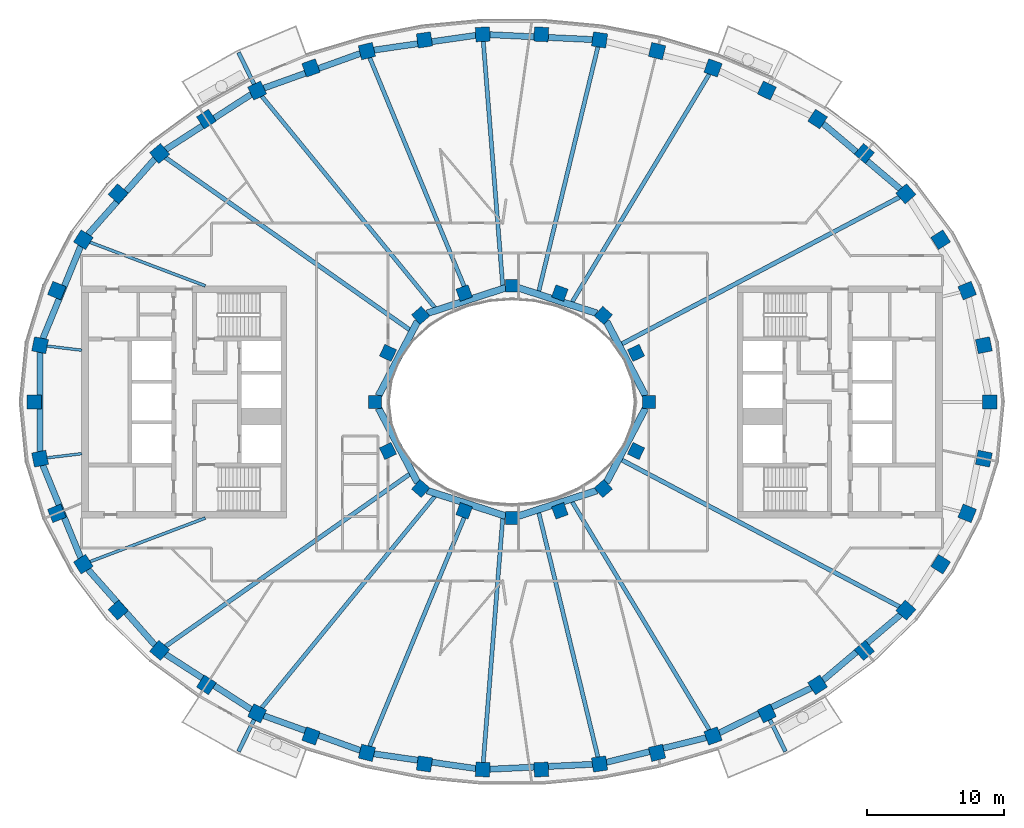
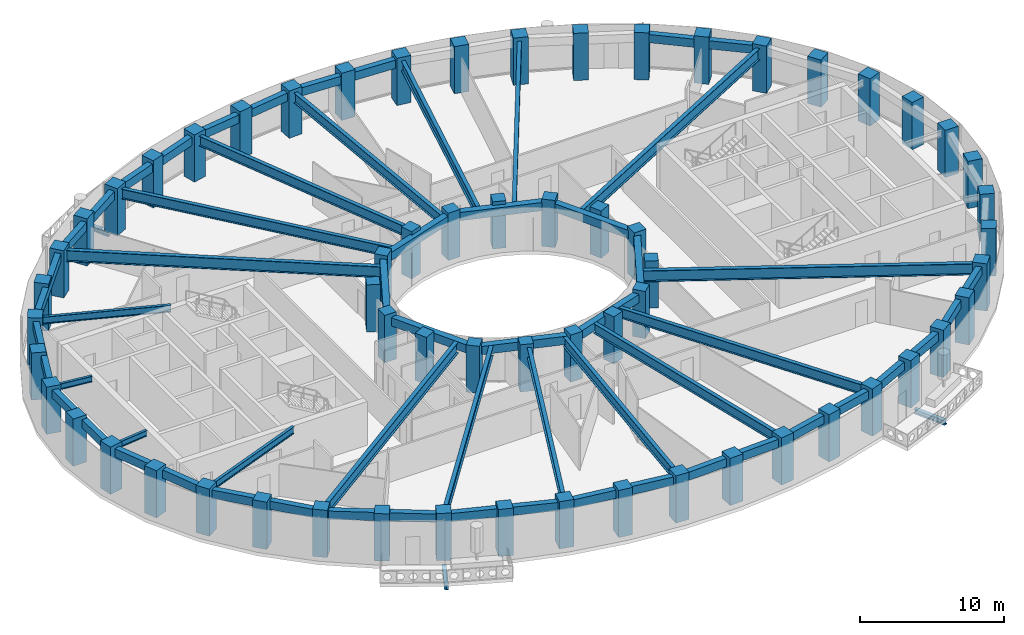
# One storey, part 1 of 15: 62 columns, 46 beams.
"""IFC4 building model written with IfcOpenShell, lengths in metres."""

from ifc_helpers import new_model, si_unit, direction, frame, origin, origin_2d, place, context, subcontext, project, spatial, rectangle, i_section, extrude, material, material_profile, profile_set, type_object, element, save


model = new_model("IFC4")

# Units and contexts
model_context = context("Model", 3, precision=1e-05, world=origin(), true_north=direction((0.0, 1.0)))
body_context = subcontext(model_context, "Body", "Model", "MODEL_VIEW")
ifc_project = project(units=[si_unit("LENGTHUNIT", "METRE"), si_unit("AREAUNIT", "SQUARE_METRE"), si_unit("VOLUMEUNIT", "CUBIC_METRE"), si_unit("PLANEANGLEUNIT", "RADIAN"), si_unit("MASSUNIT", "GRAM", prefix="KILO")], contexts=[model_context])

# Site, building, storey
site_placement = place(None, origin())
site = spatial("IfcSite", under=ifc_project, at=site_placement, CompositionType="ELEMENT")
building_placement = place(site_placement, origin())
building = spatial("IfcBuilding", under=site, at=building_placement, Name="Noorbagh Ring Tower", CompositionType="ELEMENT")
storey_placement = place(building_placement, frame((0.0, 0.0, 265.5)))
storey = spatial("IfcBuildingStorey", under=building, at=storey_placement, Name="L56", CompositionType="ELEMENT", Elevation=265.5)

# Columns
ifc_material_1 = material(Name="Concrete C50/60", Category="concrete")
ifc_material_profile_1 = material_profile(ifc_material_1, rectangle(XDim=1.050048828125, YDim=1.050048828125, at=origin_2d()), Name="RC1050x1050")
ifc_profile_set_1 = profile_set([ifc_material_profile_1], Name="Concrete C50/60")
column_type_1 = type_object("IfcColumnType", Name="STR-COL-RC1050x1050-C50-60", PredefinedType="COLUMN", material=ifc_profile_set_1)
for number, where, z_axis, x_axis, name in (
    (1, (34.944580078125, 0.0, 0.0), (0.0, 0.0, 1.0), (0.0, 1.0, 0.0), "L56/col/R1-01"),
    (2, (34.52685546875, 4.150634765625, 0.0), (0.0, 0.0, 1.0), (-0.19723040178, 0.9803571638, 0.0), "L56/col/R1-02"),
    (3, (33.30517578125, 8.1494140625, 0.0), (0.0, 0.0, 1.0), (-0.378989499959, 0.925400971969, 0.0), "L56/col/R1-03"),
    (4, (31.364990234375, 11.87109375, 0.0), (0.0, 0.0, 1.0), (-0.535190403059, 0.844731455833, 0.0), "L56/col/R1-04"),
    (5, (28.81884765625, 15.23046875, 0.0), (0.0, 0.0, 1.0), (-0.662635642662, 0.748941923699, 0.0), "L56/col/R1-05"),
    (6, (25.78271484375, 18.180419921875, 0.0), (0.0, 0.0, 1.0), (-0.763035199656, 0.646356932419, 0.0), "L56/col/R1-06"),
    (7, (22.362060546875, 20.699951171875, 0.0), (0.0, 0.0, 1.0), (-0.840247639643, 0.542202825586, 0.0), "L56/col/R1-07"),
    (8, (18.646240234375, 22.785400390625, 0.0), (0.0, 0.0, 1.0), (-0.898399080868, 0.439180021741, 0.0), "L56/col/R1-08"),
    (9, (14.70947265625, 24.44091796875, 0.0), (0.0, 0.0, 1.0), (-0.941024726094, 0.338337797003, 0.0), "L56/col/R1-09"),
    (10, (10.61328125, 25.673583984375, 0.0), (0.0, 0.0, 1.0), (-0.970829360981, 0.239771457553, 0.0), "L56/col/R1-10"),
    (11, (6.4091796875, 26.49072265625, 0.0), (0.0, 0.0, 1.0), (-0.989713114048, 0.143066249975, 0.0), "L56/col/R1-11"),
    (12, (2.14306640625, 26.89794921875, 0.0), (0.0, 0.0, 1.0), (-0.998868731212, 0.047552684538, 0.0), "L56/col/R1-12"),
    (13, (-2.14306640625, 26.89794921875, 0.0), (0.0, 0.0, 1.0), (-0.998868731212, -0.047552684538, 0.0), "L56/col/R1-13"),
    (14, (-6.4091796875, 26.49072265625, 0.0), (0.0, 0.0, 1.0), (-0.989713114048, -0.143066249975, 0.0), "L56/col/R1-14"),
    (15, (-10.61328125, 25.673583984375, 0.0), (0.0, 0.0, 1.0), (-0.970829360981, -0.239771457553, 0.0), "L56/col/R1-15"),
    (16, (-14.70947265625, 24.44091796875, 0.0), (0.0, 0.0, 1.0), (-0.941024726094, -0.338337797003, 0.0), "L56/col/R1-16"),
    (17, (-18.646240234375, 22.785400390625, 0.0), (0.0, 0.0, 1.0), (-0.898399080868, -0.439180021741, 0.0), "L56/col/R1-17"),
    (18, (-22.362060546875, 20.699951171875, 0.0), (0.0, 0.0, 1.0), (-0.840247639643, -0.542202825586, 0.0), "L56/col/R1-18"),
    (19, (-25.78271484375, 18.180419921875, 0.0), (0.0, 0.0, 1.0), (-0.763035199656, -0.646356932419, 0.0), "L56/col/R1-19"),
    (20, (-28.81884765625, 15.23046875, 0.0), (0.0, 0.0, 1.0), (-0.662635642662, -0.748941923699, 0.0), "L56/col/R1-20"),
    (21, (-31.364990234375, 11.87109375, 0.0), (0.0, 0.0, 1.0), (-0.535190403059, -0.844731455833, 0.0), "L56/col/R1-21"),
    (22, (-33.30517578125, 8.1494140625, 0.0), (0.0, 0.0, 1.0), (-0.378989499959, -0.925400971969, 0.0), "L56/col/R1-22"),
    (23, (-34.52685546875, 4.150634765625, 0.0), (0.0, 0.0, 1.0), (-0.19723040178, -0.9803571638, 0.0), "L56/col/R1-23"),
    (24, (-34.944580078125, 0.0, 0.0), (0.0, 0.0, 1.0), (0.0, -1.0, 0.0), "L56/col/R1-24"),
    (25, (-34.52685546875, -4.150634765625, 0.0), (0.0, 0.0, 1.0), (0.19723040178, -0.9803571638, 0.0), "L56/col/R1-25"),
    (26, (-33.30517578125, -8.1494140625, 0.0), (0.0, 0.0, 1.0), (0.378989499959, -0.925400971969, 0.0), "L56/col/R1-26"),
    (27, (-31.364990234375, -11.87109375, 0.0), (0.0, 0.0, 1.0), (0.535190403059, -0.844731455833, 0.0), "L56/col/R1-27"),
    (28, (-28.81884765625, -15.23046875, 0.0), (0.0, 0.0, 1.0), (0.662635642662, -0.748941923699, 0.0), "L56/col/R1-28"),
    (29, (-25.78271484375, -18.180419921875, 0.0), (0.0, 0.0, 1.0), (0.763035199656, -0.646356932419, 0.0), "L56/col/R1-29"),
    (30, (-22.362060546875, -20.699951171875, 0.0), (0.0, 0.0, 1.0), (0.840247639643, -0.542202825586, 0.0), "L56/col/R1-30"),
    (31, (-18.646240234375, -22.785400390625, 0.0), (0.0, 0.0, 1.0), (0.898399080868, -0.439180021741, 0.0), "L56/col/R1-31"),
    (32, (-14.70947265625, -24.44091796875, 0.0), (0.0, 0.0, 1.0), (0.941024726094, -0.338337797003, 0.0), "L56/col/R1-32"),
    (33, (-10.61328125, -25.673583984375, 0.0), (0.0, 0.0, 1.0), (0.970829360981, -0.239771457553, 0.0), "L56/col/R1-33"),
    (34, (-6.4091796875, -26.49072265625, 0.0), (0.0, 0.0, 1.0), (0.989713114048, -0.143066249975, 0.0), "L56/col/R1-34"),
    (35, (-2.14306640625, -26.89794921875, 0.0), (0.0, 0.0, 1.0), (0.998868731212, -0.047552684538, 0.0), "L56/col/R1-35"),
    (36, (2.14306640625, -26.89794921875, 0.0), (0.0, 0.0, 1.0), (0.998868731212, 0.047552684538, 0.0), "L56/col/R1-36"),
    (37, (6.4091796875, -26.49072265625, 0.0), (0.0, 0.0, 1.0), (0.989713114048, 0.143066249975, 0.0), "L56/col/R1-37"),
    (38, (10.61328125, -25.673583984375, 0.0), (0.0, 0.0, 1.0), (0.970829360981, 0.239771457553, 0.0), "L56/col/R1-38"),
    (39, (14.70947265625, -24.44091796875, 0.0), (0.0, 0.0, 1.0), (0.941024726094, 0.338337797003, 0.0), "L56/col/R1-39"),
    (40, (18.646240234375, -22.785400390625, 0.0), (0.0, 0.0, 1.0), (0.898399080868, 0.439180021741, 0.0), "L56/col/R1-40"),
    (41, (22.362060546875, -20.699951171875, 0.0), (0.0, 0.0, 1.0), (0.840247639643, 0.542202825586, 0.0), "L56/col/R1-41"),
    (42, (25.78271484375, -18.180419921875, 0.0), (0.0, 0.0, 1.0), (0.763035199656, 0.646356932419, 0.0), "L56/col/R1-42"),
    (43, (28.81884765625, -15.23046875, 0.0), (0.0, 0.0, 1.0), (0.662635642662, 0.748941923699, 0.0), "L56/col/R1-43"),
    (44, (31.364990234375, -11.87109375, 0.0), (0.0, 0.0, 1.0), (0.535190403059, 0.844731455833, 0.0), "L56/col/R1-44"),
    (45, (33.30517578125, -8.1494140625, 0.0), (0.0, 0.0, 1.0), (0.378989499959, 0.925400971969, 0.0), "L56/col/R1-45"),
    (46, (34.52685546875, -4.150634765625, 0.0), (0.0, 0.0, 1.0), (0.19723040178, 0.9803571638, 0.0), "L56/col/R1-46"),
):
    element("IfcColumn", number, at=place(storey_placement, frame(where, z_axis=z_axis, x_axis=x_axis)), inside=storey, type_object=column_type_1, Name=name, PredefinedType="COLUMN", context=body_context, shape_type="SweptSolid", body=[
        extrude(rectangle(XDim=1.050048828125, YDim=1.050048828125, at=origin_2d()), origin(), (0.0, 0.0, 1.0), 4.0),
    ])
ifc_material_2 = material(Name="Concrete C50/60", Category="concrete")
ifc_material_profile_2 = material_profile(ifc_material_2, rectangle(XDim=0.949951171875, YDim=0.949951171875, at=origin_2d()), Name="RC950x950")
ifc_profile_set_2 = profile_set([ifc_material_profile_2], Name="Concrete C50/60")
column_type_2 = type_object("IfcColumnType", Name="STR-ICOL-RC950x950-C50-60", PredefinedType="COLUMN", material=ifc_profile_set_2)
for number, where, z_axis, x_axis, name in (
    (47, (10.00830078125, 0.0, 0.0), (0.0, 0.0, 1.0), (0.0, 1.0, 0.0), "L56/col/IR2-W01"),
    (48, (9.07568359375, 3.58837890625, 0.0), (0.0, 0.0, 1.0), (-0.428666979171, 0.903462573087, 0.0), "L56/col/IR2-W03"),
    (49, (6.68212890625, 6.333740234375, 0.0), (0.0, 0.0, 1.0), (-0.75102249095, 0.660276622399, 0.0), "L56/col/IR2-W05"),
    (50, (3.5009765625, 7.967041015625, 0.0), (0.0, 0.0, 1.0), (-0.939019578916, 0.343863679984, 0.0), "L56/col/IR2-W07"),
    (51, (0.0, 8.5029296875, 0.0), (0.0, 0.0, 1.0), (-1.0, 0.0, 0.0), "L56/col/IR2-W09"),
    (52, (-3.5009765625, 7.967041015625, 0.0), (0.0, 0.0, 1.0), (-0.939019578916, -0.343863679984, 0.0), "L56/col/IR2-W11"),
    (53, (-6.68212890625, 6.333740234375, 0.0), (0.0, 0.0, 1.0), (-0.75102249095, -0.660276622399, 0.0), "L56/col/IR2-W13"),
    (54, (-9.07568359375, 3.58837890625, 0.0), (0.0, 0.0, 1.0), (-0.428666979171, -0.903462573087, 0.0), "L56/col/IR2-W15"),
    (55, (-10.00830078125, 0.0, 0.0), (0.0, 0.0, 1.0), (0.0, -1.0, 0.0), "L56/col/IR2-W17"),
    (56, (-9.07568359375, -3.58837890625, 0.0), (0.0, 0.0, 1.0), (0.428666979171, -0.903462573087, 0.0), "L56/col/IR2-W19"),
    (57, (-6.68212890625, -6.333740234375, 0.0), (0.0, 0.0, 1.0), (0.75102249095, -0.660276622399, 0.0), "L56/col/IR2-W21"),
    (58, (-3.5009765625, -7.967041015625, 0.0), (0.0, 0.0, 1.0), (0.939019578916, -0.343863679984, 0.0), "L56/col/IR2-W23"),
    (59, (0.0, -8.5029296875, 0.0), (0.0, 0.0, 1.0), (1.0, 0.0, 0.0), "L56/col/IR2-W25"),
    (60, (3.5009765625, -7.967041015625, 0.0), (0.0, 0.0, 1.0), (0.939019578916, 0.343863679984, 0.0), "L56/col/IR2-W27"),
    (61, (6.68212890625, -6.333740234375, 0.0), (0.0, 0.0, 1.0), (0.75102249095, 0.660276622399, 0.0), "L56/col/IR2-W29"),
    (62, (9.07568359375, -3.58837890625, 0.0), (0.0, 0.0, 1.0), (0.428666979171, 0.903462573087, 0.0), "L56/col/IR2-W31"),
):
    element("IfcColumn", number, at=place(storey_placement, frame(where, z_axis=z_axis, x_axis=x_axis)), inside=storey, type_object=column_type_2, Name=name, PredefinedType="COLUMN", context=body_context, shape_type="SweptSolid", body=[
        extrude(rectangle(XDim=0.949951171875, YDim=0.949951171875, at=origin_2d()), origin(), (0.0, 0.0, 1.0), 4.0),
    ])

# Beams
ifc_material_3 = material(Name="Steel S355", Category="steel")
ifc_material_profile_3 = material_profile(ifc_material_3, i_section(OverallWidth=0.300048828125, OverallDepth=0.39990234375, WebThickness=0.013427734375, FlangeThickness=0.02392578125, FilletRadius=0.027099609375, at=origin_2d()), Name="HEB400")
ifc_profile_set_3 = profile_set([ifc_material_profile_3], Name="Steel S355")
beam_type_1 = type_object("IfcBeamType", Name="STR-BALCONY-BRACKET-HEB400", PredefinedType="BEAM", material=ifc_profile_set_3)
for number, where, z_axis, x_axis, name in (
    (63, (-18.8681640625, 23.239013671875, -0.5), (-0.439233708137, 0.898372834427, 0.0), (-0.898372834427, -0.439233708137, 0.0), "Balcony bracket beam BN05"),
    (64, (-18.8681640625, -23.239013671875, -0.5), (-0.439233708137, -0.898372834427, 0.0), (0.898372834427, -0.439233708137, 0.0), "Balcony bracket beam BS02"),
    (65, (18.8681640625, -23.239013671875, -0.5), (0.439233708137, -0.898372834427, 0.0), (0.898372834427, 0.439233708137, 0.0), "Balcony bracket beam BS05"),
):
    element("IfcBeam", number, at=place(storey_placement, frame(where, z_axis=z_axis, x_axis=x_axis)), inside=storey, type_object=beam_type_1, Name=name, PredefinedType="BEAM", context=body_context, shape_type="SweptSolid", body=[
        extrude(i_section(OverallWidth=0.300048828125, OverallDepth=0.39990234375, WebThickness=0.013427734375, FlangeThickness=0.02392578125, FilletRadius=0.027099609375, at=origin_2d()), origin(), (0.0, 0.0, 1.0), 2.60009765625),
    ])
ifc_material_4 = material(Name="Steel S355", Category="steel")
ifc_material_profile_4 = material_profile(ifc_material_4, i_section(OverallWidth=0.199951171875, OverallDepth=0.5, WebThickness=0.01025390625, FlangeThickness=0.01611328125, FilletRadius=0.02099609375, at=origin_2d()), Name="IPE500")
ifc_profile_set_4 = profile_set([ifc_material_profile_4], Name="Steel S355")
beam_type_2 = type_object("IfcBeamType", Name="STR-RAD-IPE500", PredefinedType="BEAM", material=ifc_profile_set_4)
for number, where, z_axis, x_axis, name in (
    (66, (-34.023681640625, 4.090087890625, 3.449951171875), (0.992856079473, -0.119318085189, 0.0), (0.119318085189, 0.992856079473, 0.0), "L56/bm/RD23"),
    (67, (-34.023681640625, -4.090087890625, 3.449951171875), (0.992856079473, 0.119318085189, 0.0), (-0.119318085189, 0.992856079473, 0.0), "L56/bm/RD25"),
):
    element("IfcBeam", number, at=place(storey_placement, frame(where, z_axis=z_axis, x_axis=x_axis)), inside=storey, type_object=beam_type_2, Name=name, PredefinedType="BEAM", context=body_context, shape_type="SweptSolid", body=[
        extrude(i_section(OverallWidth=0.199951171875, OverallDepth=0.5, WebThickness=0.01025390625, FlangeThickness=0.01611328125, FilletRadius=0.02099609375, at=origin_2d()), origin(), (0.0, 0.0, 1.0), 2.561767578125),
    ])
ifc_material_5 = material(Name="Steel S355", Category="steel")
ifc_material_profile_5 = material_profile(ifc_material_5, i_section(OverallWidth=0.219970703125, OverallDepth=0.60009765625, WebThickness=0.011962890625, FlangeThickness=0.01904296875, FilletRadius=0.02392578125, at=origin_2d()), Name="IPE600")
ifc_profile_set_5 = profile_set([ifc_material_profile_5], Name="Steel S355")
beam_type_3 = type_object("IfcBeamType", Name="STR-RAD-IPE600", PredefinedType="BEAM", material=ifc_profile_set_5)
for number, where, z_axis, x_axis, name in (
    (68, (-30.88232421875, 11.688232421875, 3.39990234375), (0.93525673757, -0.353970104431, 0.0), (0.353970104431, 0.93525673757, 0.0), "L56/bm/RD21"),
    (69, (-30.88232421875, -11.688232421875, 3.39990234375), (0.93525673757, 0.353970104431, 0.0), (-0.353970104431, 0.93525673757, 0.0), "L56/bm/RD27"),
):
    element("IfcBeam", number, at=place(storey_placement, frame(where, z_axis=z_axis, x_axis=x_axis)), inside=storey, type_object=beam_type_3, Name=name, PredefinedType="BEAM", context=body_context, shape_type="SweptSolid", body=[
        extrude(i_section(OverallWidth=0.219970703125, OverallDepth=0.60009765625, WebThickness=0.011962890625, FlangeThickness=0.01904296875, FilletRadius=0.02392578125, at=origin_2d()), origin(), (0.0, 0.0, 1.0), 9.027099609375),
    ])
ifc_material_6 = material(Name="Steel S355", Category="steel")
ifc_material_profile_6 = material_profile(ifc_material_6, i_section(OverallWidth=0.300048828125, OverallDepth=0.85009765625, WebThickness=0.013916015625, FlangeThickness=0.028076171875, at=origin_2d()), Name="PG850x300x14x28")
ifc_profile_set_6 = profile_set([ifc_material_profile_6], Name="Steel S355")
beam_type_4 = type_object("IfcBeamType", Name="STR-RAD-PG850x300x14x28", PredefinedType="BEAM", material=ifc_profile_set_6)
beam_1_placement = place(storey_placement, frame((14.44384765625, 23.999267578125, 3.27490234375), z_axis=(-0.515656906989, -0.856795164712, 0.0), x_axis=(0.856795164712, -0.515656906989, 0.0)))
element("IfcBeam", 70, at=beam_1_placement, inside=storey, type_object=beam_type_4, Name="L56/bm/RD09", PredefinedType="BEAM", context=body_context, shape_type="SweptSolid", body=[
    extrude(i_section(OverallWidth=0.300048828125, OverallDepth=0.85009765625, WebThickness=0.013916015625, FlangeThickness=0.028076171875, at=origin_2d()), origin(), (0.0, 0.0, 1.0), 19.471923828125),
])
beam_2_placement = place(storey_placement, frame((6.2900390625, 25.997802734375, 3.27490234375), z_axis=(-0.23516000693, -0.971956671432, 0.0), x_axis=(0.971956671432, -0.23516000693, 0.0)))
element("IfcBeam", 71, at=beam_2_placement, inside=storey, type_object=beam_type_4, Name="L56/bm/RD11", PredefinedType="BEAM", context=body_context, shape_type="SweptSolid", body=[
    extrude(i_section(OverallWidth=0.300048828125, OverallDepth=0.85009765625, WebThickness=0.013916015625, FlangeThickness=0.028076171875, at=origin_2d()), origin(), (0.0, 0.0, 1.0), 18.406005859375),
])
beam_3_placement = place(storey_placement, frame((-2.10302734375, 26.394287109375, 3.27490234375), z_axis=(0.079426932636, -0.996840690568, 0.0), x_axis=(0.996840690568, 0.079426932636, 0.0)))
element("IfcBeam", 72, at=beam_3_placement, inside=storey, type_object=beam_type_4, Name="L56/bm/RD13", PredefinedType="BEAM", context=body_context, shape_type="SweptSolid", body=[
    extrude(i_section(OverallWidth=0.300048828125, OverallDepth=0.85009765625, WebThickness=0.013916015625, FlangeThickness=0.028076171875, at=origin_2d()), origin(), (0.0, 0.0, 1.0), 17.92626953125),
])
beam_4_placement = place(storey_placement, frame((-10.41796875, 25.201416015625, 3.27490234375), z_axis=(0.382034660206, -0.924147995941, 0.0), x_axis=(0.924147995941, 0.382034660206, 0.0)))
element("IfcBeam", 73, at=beam_4_placement, inside=storey, type_object=beam_type_4, Name="L56/bm/RD15", PredefinedType="BEAM", context=body_context, shape_type="SweptSolid", body=[
    extrude(i_section(OverallWidth=0.300048828125, OverallDepth=0.85009765625, WebThickness=0.013916015625, FlangeThickness=0.028076171875, at=origin_2d()), origin(), (0.0, 0.0, 1.0), 18.9267578125),
])
for number, where, z_axis, x_axis, name in (
    (74, (-18.3173828125, 22.383544921875, 3.27490234375), (0.633312925982, -0.77389581843, 0.0), (0.77389581843, 0.633312925982, 0.0), "L56/bm/RD17"),
    (75, (-18.3173828125, -22.383544921875, 3.27490234375), (0.633312925982, 0.77389581843, 0.0), (-0.77389581843, 0.633312925982, 0.0), "L56/bm/RD31"),
):
    element("IfcBeam", number, at=place(storey_placement, frame(where, z_axis=z_axis, x_axis=x_axis)), inside=storey, type_object=beam_type_4, Name=name, PredefinedType="BEAM", context=body_context, shape_type="SweptSolid", body=[
        extrude(i_section(OverallWidth=0.300048828125, OverallDepth=0.85009765625, WebThickness=0.013916015625, FlangeThickness=0.028076171875, at=origin_2d()), origin(), (0.0, 0.0, 1.0), 19.993896484375),
    ])
beam_5_placement = place(storey_placement, frame((-10.41796875, -25.201416015625, 3.27490234375), z_axis=(0.382034660206, 0.924147995941, 0.0), x_axis=(-0.924147995941, 0.382034660206, 0.0)))
element("IfcBeam", 76, at=beam_5_placement, inside=storey, type_object=beam_type_4, Name="L56/bm/RD33", PredefinedType="BEAM", context=body_context, shape_type="SweptSolid", body=[
    extrude(i_section(OverallWidth=0.300048828125, OverallDepth=0.85009765625, WebThickness=0.013916015625, FlangeThickness=0.028076171875, at=origin_2d()), origin(), (0.0, 0.0, 1.0), 18.9267578125),
])
beam_6_placement = place(storey_placement, frame((-2.10302734375, -26.394287109375, 3.27490234375), z_axis=(0.079426932636, 0.996840690568, 0.0), x_axis=(-0.996840690568, 0.079426932636, 0.0)))
element("IfcBeam", 77, at=beam_6_placement, inside=storey, type_object=beam_type_4, Name="L56/bm/RD35", PredefinedType="BEAM", context=body_context, shape_type="SweptSolid", body=[
    extrude(i_section(OverallWidth=0.300048828125, OverallDepth=0.85009765625, WebThickness=0.013916015625, FlangeThickness=0.028076171875, at=origin_2d()), origin(), (0.0, 0.0, 1.0), 17.92626953125),
])
beam_7_placement = place(storey_placement, frame((6.2900390625, -25.997802734375, 3.27490234375), z_axis=(-0.23516000693, 0.971956671432, 0.0), x_axis=(-0.971956671432, -0.23516000693, 0.0)))
element("IfcBeam", 78, at=beam_7_placement, inside=storey, type_object=beam_type_4, Name="L56/bm/RD37", PredefinedType="BEAM", context=body_context, shape_type="SweptSolid", body=[
    extrude(i_section(OverallWidth=0.300048828125, OverallDepth=0.85009765625, WebThickness=0.013916015625, FlangeThickness=0.028076171875, at=origin_2d()), origin(), (0.0, 0.0, 1.0), 18.406005859375),
])
beam_8_placement = place(storey_placement, frame((14.44384765625, -23.999267578125, 3.27490234375), z_axis=(-0.515656906989, 0.856795164712, 0.0), x_axis=(-0.856795164712, -0.515656906989, 0.0)))
element("IfcBeam", 79, at=beam_8_placement, inside=storey, type_object=beam_type_4, Name="L56/bm/RD39", PredefinedType="BEAM", context=body_context, shape_type="SweptSolid", body=[
    extrude(i_section(OverallWidth=0.300048828125, OverallDepth=0.85009765625, WebThickness=0.013916015625, FlangeThickness=0.028076171875, at=origin_2d()), origin(), (0.0, 0.0, 1.0), 19.471923828125),
])
ifc_material_7 = material(Name="Steel S355", Category="steel")
ifc_material_profile_7 = material_profile(ifc_material_7, i_section(OverallWidth=0.320068359375, OverallDepth=0.949951171875, WebThickness=0.01611328125, FlangeThickness=0.030029296875, at=origin_2d()), Name="PG950x320x16x30")
ifc_profile_set_7 = profile_set([ifc_material_profile_7], Name="Steel S355")
beam_type_5 = type_object("IfcBeamType", Name="STR-RAD-PG950x320x16x30", PredefinedType="BEAM", material=ifc_profile_set_7)
beam_9_placement = place(storey_placement, frame((28.35888671875, 14.9873046875, 3.22509765625), z_axis=(-0.884128728226, -0.467243396878, 0.0), x_axis=(0.467243396878, -0.884128728226, 0.0)))
element("IfcBeam", 80, at=beam_9_placement, inside=storey, type_object=beam_type_5, Name="L56/bm/RD05", PredefinedType="BEAM", context=body_context, shape_type="SweptSolid", body=[
    extrude(i_section(OverallWidth=0.320068359375, OverallDepth=0.949951171875, WebThickness=0.01611328125, FlangeThickness=0.030029296875, at=origin_2d()), origin(), (0.0, 0.0, 1.0), 22.98486328125),
])
for number, where, z_axis, x_axis, name in (
    (81, (-25.355712890625, 17.87939453125, 3.22509765625), (0.817252873121, -0.57627922171, 0.0), (0.57627922171, 0.817252873121, 0.0), "L56/bm/RD19"),
    (82, (-25.355712890625, -17.87939453125, 3.22509765625), (0.817252873121, 0.57627922171, 0.0), (-0.57627922171, 0.817252873121, 0.0), "L56/bm/RD29"),
):
    element("IfcBeam", number, at=place(storey_placement, frame(where, z_axis=z_axis, x_axis=x_axis)), inside=storey, type_object=beam_type_5, Name=name, PredefinedType="BEAM", context=body_context, shape_type="SweptSolid", body=[
        extrude(i_section(OverallWidth=0.320068359375, OverallDepth=0.949951171875, WebThickness=0.01611328125, FlangeThickness=0.030029296875, at=origin_2d()), origin(), (0.0, 0.0, 1.0), 21.8564453125),
    ])
beam_10_placement = place(storey_placement, frame((28.35888671875, -14.9873046875, 3.22509765625), z_axis=(-0.884128728226, 0.467243396878, 0.0), x_axis=(-0.467243396878, -0.884128728226, 0.0)))
element("IfcBeam", 83, at=beam_10_placement, inside=storey, type_object=beam_type_5, Name="L56/bm/RD43", PredefinedType="BEAM", context=body_context, shape_type="SweptSolid", body=[
    extrude(i_section(OverallWidth=0.320068359375, OverallDepth=0.949951171875, WebThickness=0.01611328125, FlangeThickness=0.030029296875, at=origin_2d()), origin(), (0.0, 0.0, 1.0), 22.98486328125),
])
ifc_material_8 = material(Name="Concrete C40/50", Category="concrete")
ifc_material_profile_8 = material_profile(ifc_material_8, rectangle(XDim=0.5, YDim=0.699951171875, at=origin_2d()), Name="RC500x700")
ifc_profile_set_8 = profile_set([ifc_material_profile_8], Name="Concrete C40/50")
beam_type_6 = type_object("IfcBeamType", Name="STR-RB-RC500x700-C40-50", PredefinedType="BEAM", material=ifc_profile_set_8)
beam_11_placement = place(storey_placement, frame((9.768310546875, 0.457275390625, 3.35009765625), z_axis=(-0.464944392106, 0.885339885157, 0.0), x_axis=(-0.885339885157, -0.464944392106, 0.0)))
element("IfcBeam", 84, at=beam_11_placement, inside=storey, type_object=beam_type_6, Name="L56/bm/RG01", PredefinedType="BEAM", context=body_context, shape_type="SweptSolid", body=[
    extrude(rectangle(XDim=0.5, YDim=0.699951171875, at=origin_2d()), origin(), (0.0, 0.0, 1.0), 6.14892578125),
])
for number, where, z_axis, x_axis, name in (
    (85, (6.209228515625, 6.4873046875, 3.35009765625), (-0.951148201425, 0.308734673995, 0.0), (-0.308734673995, -0.951148201425, 0.0), "L56/bm/RG03"),
    (86, (-0.4560546875, 8.354736328125, 3.35009765625), (-0.951148201425, -0.308734673995, 0.0), (0.308734673995, -0.951148201425, 0.0), "L56/bm/RG05"),
):
    element("IfcBeam", number, at=place(storey_placement, frame(where, z_axis=z_axis, x_axis=x_axis)), inside=storey, type_object=beam_type_6, Name=name, PredefinedType="BEAM", context=body_context, shape_type="SweptSolid", body=[
        extrude(rectangle(XDim=0.5, YDim=0.699951171875, at=origin_2d()), origin(), (0.0, 0.0, 1.0), 6.048583984375),
    ])
for number, where, z_axis, x_axis, name in (
    (87, (-6.909423828125, 5.901123046875, 3.35009765625), (-0.464944392106, -0.885339885157, 0.0), (0.885339885157, -0.464944392106, 0.0), "L56/bm/RG07"),
    (88, (-9.768310546875, -0.457275390625, 3.35009765625), (0.464944392106, -0.885339885157, 0.0), (0.885339885157, 0.464944392106, 0.0), "L56/bm/RG09"),
):
    element("IfcBeam", number, at=place(storey_placement, frame(where, z_axis=z_axis, x_axis=x_axis)), inside=storey, type_object=beam_type_6, Name=name, PredefinedType="BEAM", context=body_context, shape_type="SweptSolid", body=[
        extrude(rectangle(XDim=0.5, YDim=0.699951171875, at=origin_2d()), origin(), (0.0, 0.0, 1.0), 6.14892578125),
    ])
for number, where, z_axis, x_axis, name in (
    (89, (-6.209228515625, -6.4873046875, 3.35009765625), (0.951148201425, -0.308734673995, 0.0), (0.308734673995, 0.951148201425, 0.0), "L56/bm/RG11"),
    (90, (0.4560546875, -8.354736328125, 3.35009765625), (0.951148201425, 0.308734673995, 0.0), (-0.308734673995, 0.951148201425, 0.0), "L56/bm/RG13"),
):
    element("IfcBeam", number, at=place(storey_placement, frame(where, z_axis=z_axis, x_axis=x_axis)), inside=storey, type_object=beam_type_6, Name=name, PredefinedType="BEAM", context=body_context, shape_type="SweptSolid", body=[
        extrude(rectangle(XDim=0.5, YDim=0.699951171875, at=origin_2d()), origin(), (0.0, 0.0, 1.0), 6.048583984375),
    ])
beam_12_placement = place(storey_placement, frame((6.909423828125, -5.901123046875, 3.35009765625), z_axis=(0.464944392106, 0.885339885157, 0.0), x_axis=(-0.885339885157, 0.464944392106, 0.0)))
element("IfcBeam", 91, at=beam_12_placement, inside=storey, type_object=beam_type_6, Name="L56/bm/RG15", PredefinedType="BEAM", context=body_context, shape_type="SweptSolid", body=[
    extrude(rectangle(XDim=0.5, YDim=0.699951171875, at=origin_2d()), origin(), (0.0, 0.0, 1.0), 6.14892578125),
])
ifc_material_9 = material(Name="Concrete C40/50", Category="concrete")
ifc_material_profile_9 = material_profile(ifc_material_9, rectangle(XDim=0.449951171875, YDim=0.699951171875, at=origin_2d()), Name="RC450x700")
ifc_profile_set_9 = profile_set([ifc_material_profile_9], Name="Concrete C40/50")
beam_type_7 = type_object("IfcBeamType", Name="STR-SB-RC450x700-C40-50", PredefinedType="BEAM", material=ifc_profile_set_9)
beam_13_placement = place(storey_placement, frame((28.42919921875, 15.560546875, 3.35009765625), z_axis=(-0.76304148439, 0.646349513111, 0.0), x_axis=(-0.646349513111, -0.76304148439, 0.0)))
element("IfcBeam", 92, at=beam_13_placement, inside=storey, type_object=beam_type_7, Name="L56/bm/SP05", PredefinedType="BEAM", context=body_context, shape_type="SweptSolid", body=[
    extrude(rectangle(XDim=0.449951171875, YDim=0.699951171875, at=origin_2d()), origin(), (0.0, 0.0, 1.0), 7.44189453125),
])
beam_14_placement = place(storey_placement, frame((5.90234375, 26.514892578125, 3.35009765625), z_axis=(-0.998868796295, 0.047551317418, 0.0), x_axis=(-0.047551317418, -0.998868796295, 0.0)))
element("IfcBeam", 93, at=beam_14_placement, inside=storey, type_object=beam_type_7, Name="L56/bm/SP11", PredefinedType="BEAM", context=body_context, shape_type="SweptSolid", body=[
    extrude(rectangle(XDim=0.449951171875, YDim=0.699951171875, at=origin_2d()), origin(), (0.0, 0.0, 1.0), 7.54736328125),
])
beam_15_placement = place(storey_placement, frame((-2.6455078125, 26.825439453125, 3.35009765625), z_axis=(-0.989713798568, -0.143061514477, 0.0), x_axis=(0.143061514477, -0.989713798568, 0.0)))
element("IfcBeam", 94, at=beam_15_placement, inside=storey, type_object=beam_type_7, Name="L56/bm/SP13", PredefinedType="BEAM", context=body_context, shape_type="SweptSolid", body=[
    extrude(rectangle(XDim=0.449951171875, YDim=0.699951171875, at=origin_2d()), origin(), (0.0, 0.0, 1.0), 7.54296875),
])
beam_16_placement = place(storey_placement, frame((-11.091064453125, 25.501708984375, 3.35009765625), z_axis=(-0.941025143763, -0.33833663533, 0.0), x_axis=(0.33833663533, -0.941025143763, 0.0)))
element("IfcBeam", 95, at=beam_16_placement, inside=storey, type_object=beam_type_7, Name="L56/bm/SP15", PredefinedType="BEAM", context=body_context, shape_type="SweptSolid", body=[
    extrude(rectangle(XDim=0.449951171875, YDim=0.699951171875, at=origin_2d()), origin(), (0.0, 0.0, 1.0), 7.5205078125),
])
beam_17_placement = place(storey_placement, frame((-19.07373046875, 22.509521484375, 3.35009765625), z_axis=(-0.840252970371, -0.542194564509, 0.0), x_axis=(0.542194564509, -0.840252970371, 0.0)))
element("IfcBeam", 96, at=beam_17_placement, inside=storey, type_object=beam_type_7, Name="L56/bm/SP17", PredefinedType="BEAM", context=body_context, shape_type="SweptSolid", body=[
    extrude(rectangle(XDim=0.449951171875, YDim=0.699951171875, at=origin_2d()), origin(), (0.0, 0.0, 1.0), 7.47509765625),
])
beam_18_placement = place(storey_placement, frame((-26.12109375, 17.798095703125, 3.35009765625), z_axis=(-0.662613733697, -0.748961307356, 0.0), x_axis=(0.748961307356, -0.662613733697, 0.0)))
element("IfcBeam", 97, at=beam_18_placement, inside=storey, type_object=beam_type_7, Name="L56/bm/SP19", PredefinedType="BEAM", context=body_context, shape_type="SweptSolid", body=[
    extrude(rectangle(XDim=0.449951171875, YDim=0.699951171875, at=origin_2d()), origin(), (0.0, 0.0, 1.0), 7.402099609375),
])
beam_19_placement = place(storey_placement, frame((-31.5595703125, 11.39599609375, 3.35009765625), z_axis=(-0.378991512565, -0.925400147722, 0.0), x_axis=(0.925400147722, -0.378991512565, 0.0)))
element("IfcBeam", 98, at=beam_19_placement, inside=storey, type_object=beam_type_7, Name="L56/bm/SP21", PredefinedType="BEAM", context=body_context, shape_type="SweptSolid", body=[
    extrude(rectangle(XDim=0.449951171875, YDim=0.699951171875, at=origin_2d()), origin(), (0.0, 0.0, 1.0), 7.314697265625),
])
beam_20_placement = place(storey_placement, frame((-34.52685546875, 3.63525390625, 3.35009765625), z_axis=(0.0, -1.0, 0.0), x_axis=(1.0, 0.0, 0.0)))
element("IfcBeam", 99, at=beam_20_placement, inside=storey, type_object=beam_type_7, Name="L56/bm/SP23", PredefinedType="BEAM", context=body_context, shape_type="SweptSolid", body=[
    extrude(rectangle(XDim=0.449951171875, YDim=0.699951171875, at=origin_2d()), origin(), (0.0, 0.0, 1.0), 7.2705078125),
])
beam_21_placement = place(storey_placement, frame((-34.331787109375, -4.626953125, 3.35009765625), z_axis=(0.378991512565, -0.925400147722, 0.0), x_axis=(0.925400147722, 0.378991512565, 0.0)))
element("IfcBeam", 100, at=beam_21_placement, inside=storey, type_object=beam_type_7, Name="L56/bm/SP25", PredefinedType="BEAM", context=body_context, shape_type="SweptSolid", body=[
    extrude(rectangle(XDim=0.449951171875, YDim=0.699951171875, at=origin_2d()), origin(), (0.0, 0.0, 1.0), 7.314697265625),
])
beam_22_placement = place(storey_placement, frame((-31.02587890625, -12.254150390625, 3.35009765625), z_axis=(0.662613733697, -0.748961307356, 0.0), x_axis=(0.748961307356, 0.662613733697, 0.0)))
element("IfcBeam", 101, at=beam_22_placement, inside=storey, type_object=beam_type_7, Name="L56/bm/SP27", PredefinedType="BEAM", context=body_context, shape_type="SweptSolid", body=[
    extrude(rectangle(XDim=0.449951171875, YDim=0.699951171875, at=origin_2d()), origin(), (0.0, 0.0, 1.0), 7.402099609375),
])
beam_23_placement = place(storey_placement, frame((-25.354736328125, -18.45654296875, 3.35009765625), z_axis=(0.840252970371, -0.542194564509, 0.0), x_axis=(0.542194564509, 0.840252970371, 0.0)))
element("IfcBeam", 102, at=beam_23_placement, inside=storey, type_object=beam_type_7, Name="L56/bm/SP29", PredefinedType="BEAM", context=body_context, shape_type="SweptSolid", body=[
    extrude(rectangle(XDim=0.449951171875, YDim=0.699951171875, at=origin_2d()), origin(), (0.0, 0.0, 1.0), 7.47509765625),
])
beam_24_placement = place(storey_placement, frame((-18.16796875, -22.957275390625, 3.35009765625), z_axis=(0.941025143763, -0.33833663533, 0.0), x_axis=(0.33833663533, 0.941025143763, 0.0)))
element("IfcBeam", 103, at=beam_24_placement, inside=storey, type_object=beam_type_7, Name="L56/bm/SP31", PredefinedType="BEAM", context=body_context, shape_type="SweptSolid", body=[
    extrude(rectangle(XDim=0.449951171875, YDim=0.699951171875, at=origin_2d()), origin(), (0.0, 0.0, 1.0), 7.5205078125),
])
beam_25_placement = place(storey_placement, frame((-10.11083984375, -25.746337890625, 3.35009765625), z_axis=(0.989713798568, -0.143061514477, 0.0), x_axis=(0.143061514477, 0.989713798568, 0.0)))
element("IfcBeam", 104, at=beam_25_placement, inside=storey, type_object=beam_type_7, Name="L56/bm/SP33", PredefinedType="BEAM", context=body_context, shape_type="SweptSolid", body=[
    extrude(rectangle(XDim=0.449951171875, YDim=0.699951171875, at=origin_2d()), origin(), (0.0, 0.0, 1.0), 7.54296875),
])
beam_26_placement = place(storey_placement, frame((-1.636474609375, -26.873779296875, 3.35009765625), z_axis=(0.998868796295, 0.047551317418, 0.0), x_axis=(-0.047551317418, 0.998868796295, 0.0)))
element("IfcBeam", 105, at=beam_26_placement, inside=storey, type_object=beam_type_7, Name="L56/bm/SP35", PredefinedType="BEAM", context=body_context, shape_type="SweptSolid", body=[
    extrude(rectangle(XDim=0.449951171875, YDim=0.699951171875, at=origin_2d()), origin(), (0.0, 0.0, 1.0), 7.54736328125),
])
beam_27_placement = place(storey_placement, frame((6.902099609375, -26.369140625, 3.35009765625), z_axis=(0.970832363292, 0.239759300935, 0.0), x_axis=(-0.239759300935, 0.970832363292, 0.0)))
element("IfcBeam", 106, at=beam_27_placement, inside=storey, type_object=beam_type_7, Name="L56/bm/SP37", PredefinedType="BEAM", context=body_context, shape_type="SweptSolid", body=[
    extrude(rectangle(XDim=0.449951171875, YDim=0.699951171875, at=origin_2d()), origin(), (0.0, 0.0, 1.0), 7.5341796875),
])
beam_28_placement = place(storey_placement, frame((15.166015625, -24.2177734375, 3.35009765625), z_axis=(0.898394634575, 0.439189117087, 0.0), x_axis=(-0.439189117087, 0.898394634575, 0.0)))
element("IfcBeam", 107, at=beam_28_placement, inside=storey, type_object=beam_type_7, Name="L56/bm/SP39", PredefinedType="BEAM", context=body_context, shape_type="SweptSolid", body=[
    extrude(rectangle(XDim=0.449951171875, YDim=0.699951171875, at=origin_2d()), origin(), (0.0, 0.0, 1.0), 7.501220703125),
])
beam_29_placement = place(storey_placement, frame((22.750732421875, -20.37060546875, 3.35009765625), z_axis=(0.76304148439, 0.646349513111, 0.0), x_axis=(-0.646349513111, 0.76304148439, 0.0)))
element("IfcBeam", 108, at=beam_29_placement, inside=storey, type_object=beam_type_7, Name="L56/bm/SP41", PredefinedType="BEAM", context=body_context, shape_type="SweptSolid", body=[
    extrude(rectangle(XDim=0.449951171875, YDim=0.699951171875, at=origin_2d()), origin(), (0.0, 0.0, 1.0), 7.44189453125),
])

save(model, "model.ifc")
